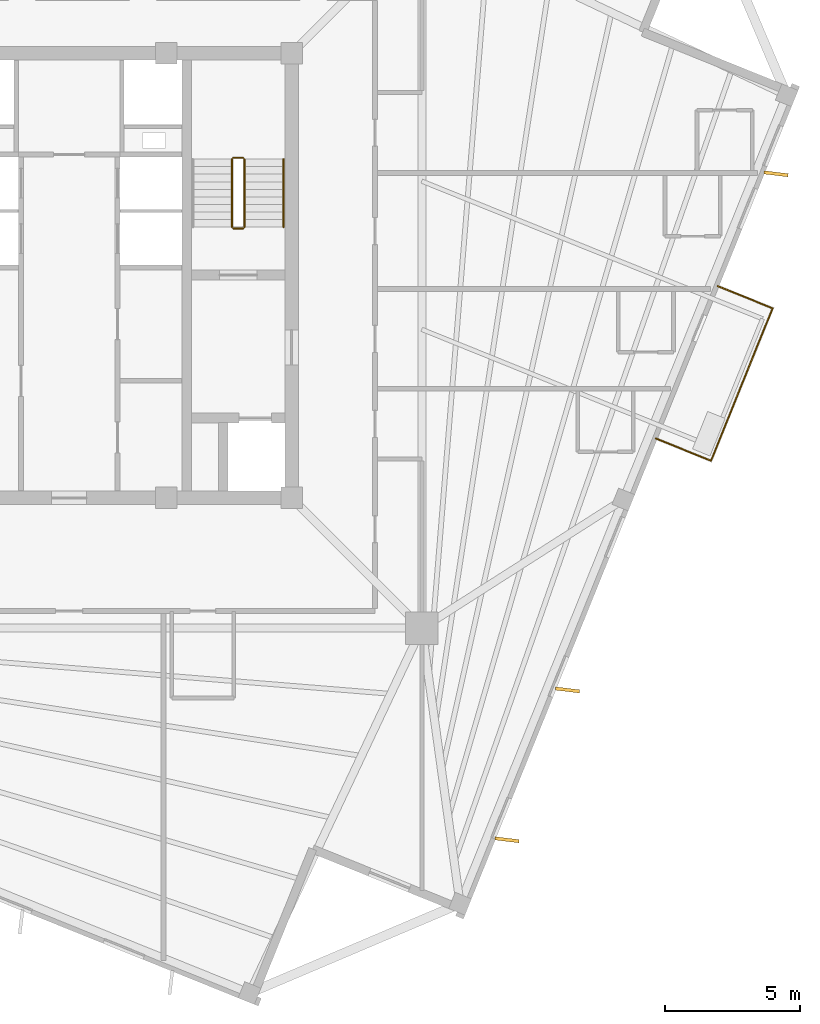
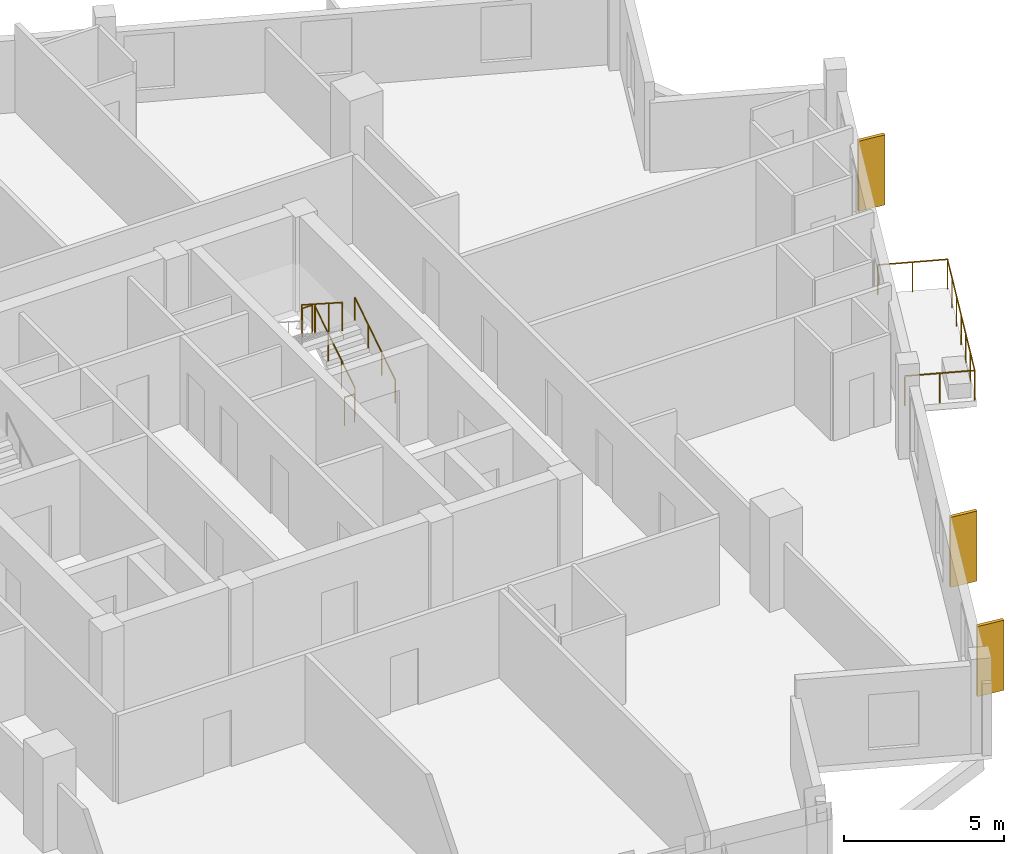
# One storey, part 8 of 9: 8 railings, 3 coverings.
"""IFC4 building model written with IfcOpenShell, lengths in metres."""

from ifc_helpers import new_model, si_unit, direction, frame, origin, origin_2d, place, context, subcontext, project, spatial, rectangle, circle, extrude, source, transform, mapped, material, layer, layer_set, type_object, element, save


model = new_model("IFC4")

# Units and contexts
model_context = context("Model", 3, precision=1e-05, world=origin(), true_north=direction((0.0, 1.0)))
body_context = subcontext(model_context, "Body", "Model", "MODEL_VIEW")
ifc_project = project(units=[si_unit("LENGTHUNIT", "METRE"), si_unit("AREAUNIT", "SQUARE_METRE"), si_unit("VOLUMEUNIT", "CUBIC_METRE"), si_unit("PLANEANGLEUNIT", "RADIAN"), si_unit("MASSUNIT", "GRAM", prefix="KILO"), si_unit("THERMODYNAMICTEMPERATUREUNIT", "KELVIN")], contexts=[model_context])

# Site, building, storey
site_placement = place(None, origin())
site = spatial("IfcSite", under=ifc_project, at=site_placement, CompositionType="ELEMENT")
building_placement = place(site_placement, origin())
building = spatial("IfcBuilding", under=site, at=building_placement, Name="Kosmvard Interchange Tower", CompositionType="ELEMENT")
storey_placement = place(building_placement, frame((0.0, 0.0, 301.199951171875)))
storey = spatial("IfcBuildingStorey", under=building, at=storey_placement, Name="L74", CompositionType="ELEMENT", Elevation=301.199951171875)

# Railings
ifc_material_1 = material(Name="Steel S355", Category="steel")
railing_type_1 = type_object("IfcRailingType", Name="Observation & Balcony Glass-Infill Balustrade 1150", PredefinedType="BALUSTRADE", material=ifc_material_1)
shared_shape_1 = source(origin(), body_context, "Body", "SweptSolid", [
    extrude(circle(Radius=0.02392578125, at=origin_2d()), frame((0.0, 0.0, 1.1259765625), z_axis=(-0.927208487558, 0.374545618852, 0.0), x_axis=(-0.374545618852, -0.927208487558, 0.0)), (0.0, 0.0, 1.0), 2.199951171875),
    extrude(circle(Radius=0.02099609375, at=origin_2d()), origin(), (0.0, 0.0, 1.0), 1.101806640625),
    extrude(circle(Radius=0.02099609375, at=origin_2d()), frame((-1.02001953125, 0.412109375, 0.0)), (0.0, 0.0, 1.0), 1.101806640625),
    extrude(circle(Radius=0.02099609375, at=origin_2d()), frame((-2.039794921875, 0.823974609375, 0.0)), (0.0, 0.0, 1.0), 1.101806640625),
])
railing_1_placement = place(storey_placement, frame((26.095458984375, -1.2138671875, 0.0)))
element("IfcRailing", 1, at=railing_1_placement, inside=storey, type_object=railing_type_1, Name="L74 Outdoor Terrace Guard BAL-L74-SW-C", PredefinedType="BALUSTRADE", context=body_context, shape_type="MappedRepresentation", body=[
    mapped(shared_shape_1, transform((0.0, 0.0, 0.0), scale=1.0)),
])
shared_shape_2 = source(origin(), body_context, "Body", "SweptSolid", [
    extrude(circle(Radius=0.02392578125, at=origin_2d()), frame((0.0, 0.0, 1.1259765625), z_axis=(0.927208487558, -0.374545618852, 0.0), x_axis=(0.374545618852, 0.927208487558, 0.0)), (0.0, 0.0, 1.0), 2.199951171875),
    extrude(circle(Radius=0.02099609375, at=origin_2d()), origin(), (0.0, 0.0, 1.0), 1.101806640625),
    extrude(circle(Radius=0.02099609375, at=origin_2d()), frame((1.02001953125, -0.412109375, 0.0)), (0.0, 0.0, 1.0), 1.101806640625),
    extrude(circle(Radius=0.02099609375, at=origin_2d()), frame((2.039794921875, -0.823974609375, 0.0)), (0.0, 0.0, 1.0), 1.101806640625),
])
railing_2_placement = place(storey_placement, frame((21.7705078125, -6.045654296875, 0.0)))
element("IfcRailing", 2, at=railing_2_placement, inside=storey, type_object=railing_type_1, Name="L74 Outdoor Terrace Guard BAL-L74-SW-A", PredefinedType="BALUSTRADE", context=body_context, shape_type="MappedRepresentation", body=[
    mapped(shared_shape_2, transform((0.0, 0.0, 0.0), scale=1.0)),
])

# Coverings
ifc_material_2 = material(Name="Architectural anodised aluminium", Category="aluminium")
ifc_layer = layer(ifc_material_2, 0.1201171875, Name="Architectural anodised aluminium")
ifc_layer_set = layer_set([ifc_layer], Name="Architectural anodised aluminium")
covering_type = type_object("IfcCoveringType", Name="Rotating Vertical Sun-Breaker Fin 900x120 Aluminium", PredefinedType="CLADDING", material=ifc_layer_set)
shared_shape_3 = source(origin(), body_context, "Body", "SweptSolid", [
    extrude(rectangle(XDim=0.89990234375, YDim=0.1201171875, at=origin_2d()), origin(), (0.0, 0.0, 1.0), 2.669921875),
])
for number, where, z_axis, x_axis, name in (
    (3, (16.2412109375, -20.932373046875, 0.0400390625), (0.0, 0.0, 1.0), (0.992757341929, -0.120136838835, 0.0), "L74 Rotating Vertical Sun-Breaker Fin 01"),
    (4, (18.4873046875, -15.373046875, 0.0400390625), (0.0, 0.0, 1.0), (0.992757341929, -0.120136838835, 0.0), "L74 Rotating Vertical Sun-Breaker Fin 02"),
    (5, (26.223876953125, 3.775390625, 0.0400390625), (0.0, 0.0, 1.0), (0.992757341929, -0.120136838835, 0.0), "L74 Rotating Vertical Sun-Breaker Fin 03"),
):
    element("IfcCovering", number, at=place(storey_placement, frame(where, z_axis=z_axis, x_axis=x_axis)), inside=storey, type_object=covering_type, Name=name, PredefinedType="CLADDING", context=body_context, shape_type="MappedRepresentation", body=[
        mapped(shared_shape_3, transform((0.0, 0.0, 0.0), scale=1.0)),
    ])

# Railings
shared_shape_4 = source(origin(), body_context, "Body", "SweptSolid", [
    extrude(circle(Radius=0.02392578125, at=origin_2d()), frame((0.0, 0.0, 1.1259765625), z_axis=(0.374617894384, 0.927179288599, 0.0), x_axis=(-0.927179288599, 0.374617894384, 0.0)), (0.0, 0.0, 1.0), 6.099853515625),
    extrude(circle(Radius=0.02099609375, at=origin_2d()), origin(), (0.0, 0.0, 1.0), 1.101806640625),
    extrude(circle(Radius=0.02099609375, at=origin_2d()), frame((0.380859375, 0.942626953125, 0.0)), (0.0, 0.0, 1.0), 1.101806640625),
    extrude(circle(Radius=0.02099609375, at=origin_2d()), frame((0.76171875, 1.88525390625, 0.0)), (0.0, 0.0, 1.0), 1.101806640625),
    extrude(circle(Radius=0.02099609375, at=origin_2d()), frame((1.142578125, 2.827880859375, 0.0)), (0.0, 0.0, 1.0), 1.101806640625),
    extrude(circle(Radius=0.02099609375, at=origin_2d()), frame((1.5234375, 3.7705078125, 0.0)), (0.0, 0.0, 1.0), 1.101806640625),
    extrude(circle(Radius=0.02099609375, at=origin_2d()), frame((1.904296875, 4.713134765625, 0.0)), (0.0, 0.0, 1.0), 1.101806640625),
    extrude(circle(Radius=0.02099609375, at=origin_2d()), frame((2.28515625, 5.65576171875, 0.0)), (0.0, 0.0, 1.0), 1.101806640625),
])
railing_3_placement = place(storey_placement, frame((23.810302734375, -6.86962890625, 0.0)))
element("IfcRailing", 6, at=railing_3_placement, inside=storey, type_object=railing_type_1, Name="L74 Outdoor Terrace Guard BAL-L74-SW-B", PredefinedType="BALUSTRADE", context=body_context, shape_type="MappedRepresentation", body=[
    mapped(shared_shape_4, transform((0.0, 0.0, 0.0), scale=1.0)),
])
railing_type_2 = type_object("IfcRailingType", Name="Stair & Terrace Safety Guardrail 1100 Steel", PredefinedType="GUARDRAIL", material=ifc_material_1)
shared_shape_5 = source(origin(), body_context, "Body", "SweptSolid", [
    extrude(circle(Radius=0.02392578125, at=origin_2d()), frame((0.0, 0.0, 1.076171875), z_axis=(-1.0, 0.0, 0.0), x_axis=(0.0, -1.0, 0.0)), (0.0, 0.0, 1.0), 0.35986328125),
    extrude(circle(Radius=0.02099609375, at=origin_2d()), origin(), (0.0, 0.0, 1.0), 1.052001953125),
    extrude(circle(Radius=0.02099609375, at=origin_2d()), frame((-0.35986328125, 0.0, 0.0)), (0.0, 0.0, 1.0), 1.052001953125),
])
for number, where, name in (
    (7, (6.449951171875, 4.3701171875, 1.800048828125), "L74 ST-2 stair guard 2"),
    (8, (6.449951171875, 1.75, 0.0), "L74 ST-2 stair guard 4"),
):
    element("IfcRailing", number, at=place(storey_placement, frame(where)), inside=storey, type_object=railing_type_2, Name=name, PredefinedType="GUARDRAIL", context=body_context, shape_type="MappedRepresentation", body=[
        mapped(shared_shape_5, transform((0.0, 0.0, 0.0), scale=1.0)),
    ])
shared_shape_6 = source(origin(), body_context, "Body", "SweptSolid", [
    extrude(circle(Radius=0.02392578125, at=origin_2d()), frame((0.0, 0.0, 1.076171875), z_axis=(0.0, 0.841162588446, 0.540782303519), x_axis=(-1.0, 0.0, 0.0)), (0.0, 0.0, 1.0), 2.995849609375),
    extrude(circle(Radius=0.02099609375, at=origin_2d()), origin(), (0.0, 0.0, 1.0), 1.052001953125),
    extrude(circle(Radius=0.02099609375, at=origin_2d()), frame((0.0, 0.840087890625, 0.5400390625)), (0.0, 0.0, 1.0), 1.052001953125),
    extrude(circle(Radius=0.02099609375, at=origin_2d()), frame((0.0, 1.679931640625, 1.080078125)), (0.0, 0.0, 1.0), 1.052001953125),
    extrude(circle(Radius=0.02099609375, at=origin_2d()), frame((0.0, 2.52001953125, 1.6201171875)), (0.0, 0.0, 1.0), 1.052001953125),
])
railing_4_placement = place(storey_placement, frame((6.5, 1.800048828125, 0.179931640625)))
element("IfcRailing", 9, at=railing_4_placement, inside=storey, type_object=railing_type_2, Name="L74 ST-2 stair guard 1", PredefinedType="GUARDRAIL", context=body_context, shape_type="MappedRepresentation", body=[
    mapped(shared_shape_6, transform((0.0, 0.0, 0.0), scale=1.0)),
])
shared_shape_7 = source(origin(), body_context, "Body", "SweptSolid", [
    extrude(circle(Radius=0.02392578125, at=origin_2d()), frame((0.0, 0.0, 1.076171875), z_axis=(0.0, -0.841162588446, 0.540782303519), x_axis=(1.0, 0.0, 0.0)), (0.0, 0.0, 1.0), 2.995849609375),
    extrude(circle(Radius=0.02099609375, at=origin_2d()), origin(), (0.0, 0.0, 1.0), 1.052001953125),
    extrude(circle(Radius=0.02099609375, at=origin_2d()), frame((0.0, -0.840087890625, 0.5400390625)), (0.0, 0.0, 1.0), 1.052001953125),
    extrude(circle(Radius=0.02099609375, at=origin_2d()), frame((0.0, -1.679931640625, 1.080078125)), (0.0, 0.0, 1.0), 1.052001953125),
    extrude(circle(Radius=0.02099609375, at=origin_2d()), frame((0.0, -2.52001953125, 1.6201171875)), (0.0, 0.0, 1.0), 1.052001953125),
])
railing_5_placement = place(storey_placement, frame((6.0400390625, 4.320068359375, 1.97998046875)))
element("IfcRailing", 10, at=railing_5_placement, inside=storey, type_object=railing_type_2, Name="L74 ST-2 stair guard 3", PredefinedType="GUARDRAIL", context=body_context, shape_type="MappedRepresentation", body=[
    mapped(shared_shape_7, transform((0.0, 0.0, 0.0), scale=1.0)),
])
railing_type_3 = type_object("IfcRailingType", Name="Wall-Mounted Stair Handrail 900 Steel", PredefinedType="HANDRAIL", material=ifc_material_1)
shared_shape_8 = source(origin(), body_context, "Body", "SweptSolid", [
    extrude(circle(Radius=0.02392578125, at=origin_2d()), frame((0.0, 0.0, 0.8759765625), z_axis=(0.0, 0.841162588446, 0.540782303519), x_axis=(-1.0, 0.0, 0.0)), (0.0, 0.0, 1.0), 2.995849609375),
    extrude(circle(Radius=0.02099609375, at=origin_2d()), origin(), (0.0, 0.0, 1.0), 0.851806640625),
    extrude(circle(Radius=0.02099609375, at=origin_2d()), frame((0.0, 0.840087890625, 0.5400390625)), (0.0, 0.0, 1.0), 0.851806640625),
    extrude(circle(Radius=0.02099609375, at=origin_2d()), frame((0.0, 1.679931640625, 1.080078125)), (0.0, 0.0, 1.0), 0.851806640625),
    extrude(circle(Radius=0.02099609375, at=origin_2d()), frame((0.0, 2.52001953125, 1.6201171875)), (0.0, 0.0, 1.0), 0.851806640625),
])
railing_6_placement = place(storey_placement, frame((7.949951171875, 1.800048828125, 0.179931640625)))
element("IfcRailing", 11, at=railing_6_placement, inside=storey, type_object=railing_type_3, Name="L74 ST-2 stair handrail 1", PredefinedType="HANDRAIL", context=body_context, shape_type="MappedRepresentation", body=[
    mapped(shared_shape_8, transform((0.0, 0.0, 0.0), scale=1.0)),
])

save(model, "model.ifc")
